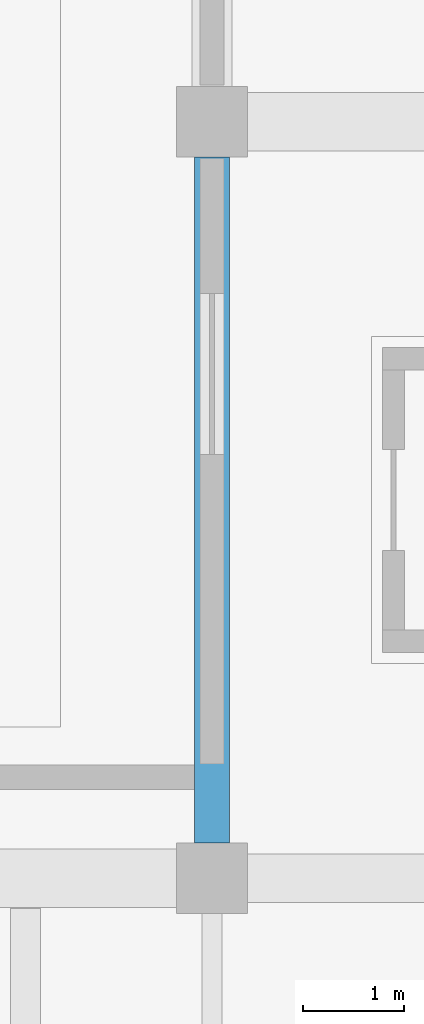
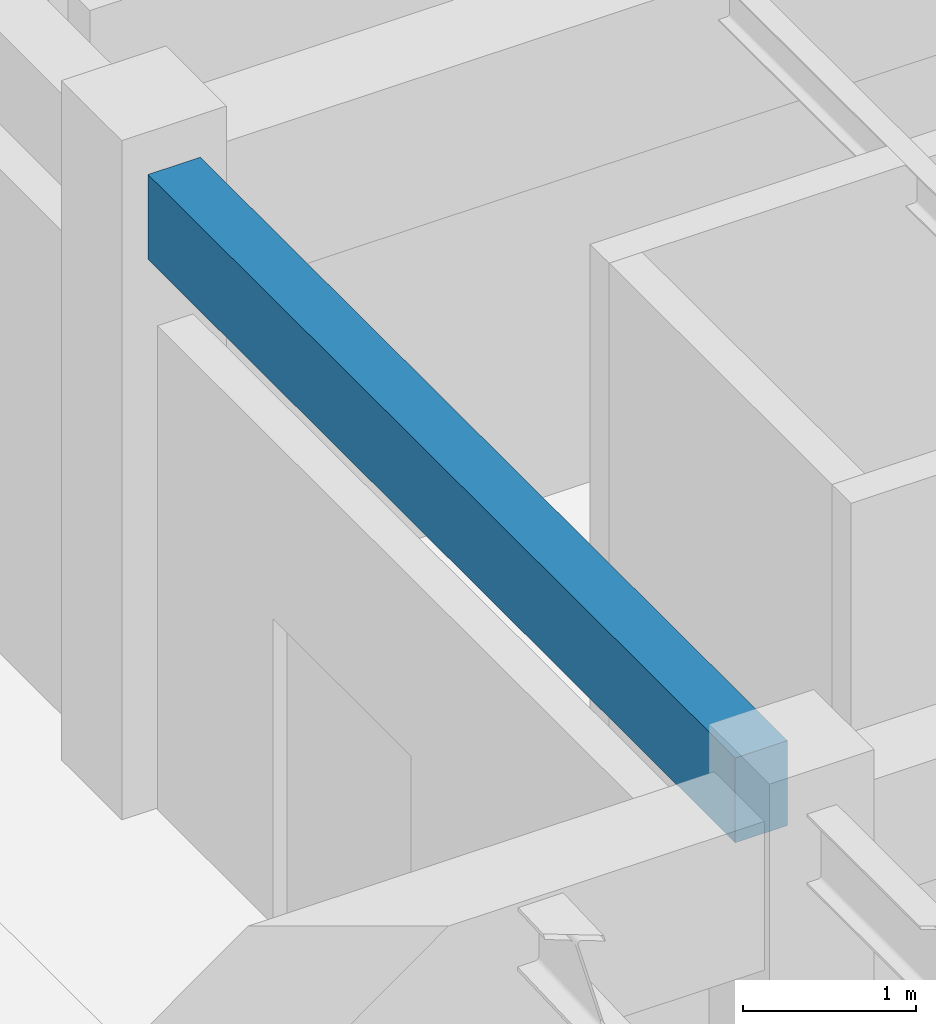
# One storey, part 55 of 122: 1 beam.
"""IFC4 building model written with IfcOpenShell, lengths in metres."""

from ifc_helpers import new_model, si_unit, direction, frame, origin, origin_2d, place, context, subcontext, project, spatial, rectangle, extrude, material, material_profile, profile_set, type_object, element, save


model = new_model("IFC4")

# Units and contexts
model_context = context("Model", 3, precision=1e-05, world=origin(), true_north=direction((0.0, 1.0)))
body_context = subcontext(model_context, "Body", "Model", "MODEL_VIEW")
ifc_project = project(units=[si_unit("LENGTHUNIT", "METRE"), si_unit("AREAUNIT", "SQUARE_METRE"), si_unit("VOLUMEUNIT", "CUBIC_METRE"), si_unit("PLANEANGLEUNIT", "RADIAN"), si_unit("MASSUNIT", "GRAM", prefix="KILO")], contexts=[model_context])

# Site, building, storey
site_placement = place(None, origin())
site = spatial("IfcSite", under=ifc_project, at=site_placement, CompositionType="ELEMENT")
building_placement = place(site_placement, origin())
building = spatial("IfcBuilding", under=site, at=building_placement, Name="Qasida Concert Hall", CompositionType="ELEMENT")
storey_placement = place(building_placement, origin())
storey = spatial("IfcBuildingStorey", under=building, at=storey_placement, Name="L00", CompositionType="ELEMENT", Elevation=0.0)

# Beam
ifc_material = material(Name="Concrete C40/50", Category="concrete")
ifc_material_profile = material_profile(ifc_material, rectangle(XDim=0.35009765625, YDim=0.60009765625, at=origin_2d()), Name="RC 350x600")
ifc_profile_set = profile_set([ifc_material_profile], Name="Concrete C40/50")
beam_type = type_object("IfcBeamType", Name="BM-B2", PredefinedType="BEAM", material=ifc_profile_set)
beam_placement = place(storey_placement, frame((157.5, 7.85009765625, 4.199951171875), z_axis=(0.0, 1.0, 0.0), x_axis=(-1.0, 0.0, 0.0)))
element("IfcBeam", 1, at=beam_placement, inside=storey, type_object=beam_type, Name="L00 girder 0495", PredefinedType="BEAM", context=body_context, shape_type="SweptSolid", body=[
    extrude(rectangle(XDim=0.35009765625, YDim=0.60009765625, at=origin_2d()), origin(), (0.0, 0.0, 1.0), 6.7998046875),
])

save(model, "model.ifc")
